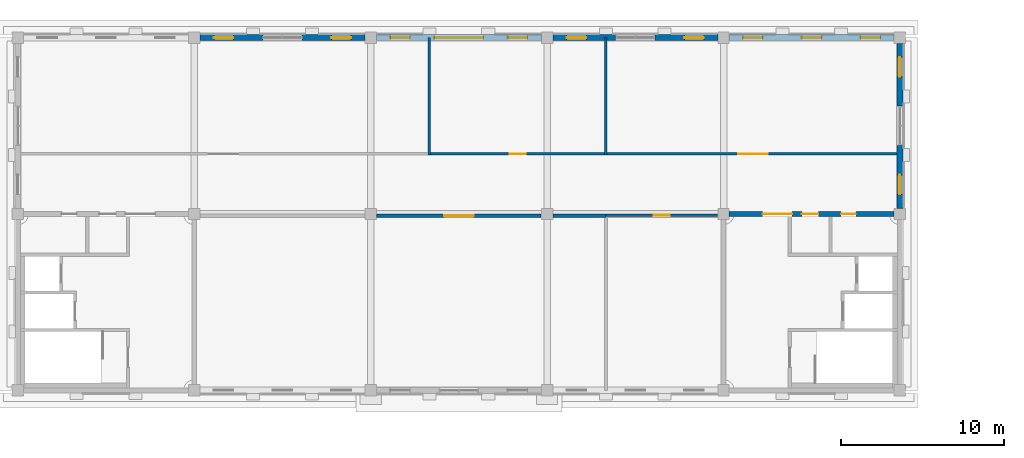
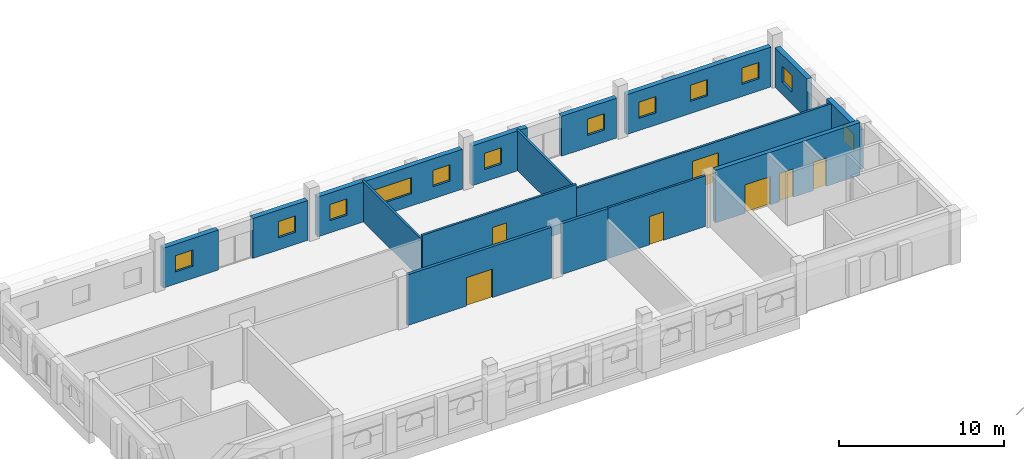
# One storey, part 8 of 10: 16 walls, 12 windows, 7 doors, 19 openings.
"""IFC4 building model written with IfcOpenShell, lengths in metres."""

from ifc_helpers import new_model, si_unit, direction, frame, frame_2d, origin, place, context, subcontext, project, spatial, rectangle, extrude, material, layer, layer_set, type_object, element, fill, save


model = new_model("IFC4")

# Units and contexts
model_context = context("Model", 3, precision=1e-05, world=origin(), true_north=direction((0.0, 1.0)))
body_context = subcontext(model_context, "Body", "Model", "MODEL_VIEW")
ifc_project = project(units=[si_unit("LENGTHUNIT", "METRE"), si_unit("AREAUNIT", "SQUARE_METRE"), si_unit("VOLUMEUNIT", "CUBIC_METRE"), si_unit("PLANEANGLEUNIT", "RADIAN"), si_unit("MASSUNIT", "GRAM", prefix="KILO")], contexts=[model_context])

# Site, building, storey
site_placement = place(None, origin())
site = spatial("IfcSite", under=ifc_project, at=site_placement, CompositionType="ELEMENT")
building_placement = place(site_placement, origin())
building = spatial("IfcBuilding", under=site, at=building_placement, Name="Magnolia Steps Interchange", CompositionType="ELEMENT")
storey_placement = place(building_placement, frame((0.0, 0.0, 24.300048828125)))
storey = spatial("IfcBuildingStorey", under=building, at=storey_placement, Name="L06", CompositionType="ELEMENT", Elevation=24.300048828125)

# Wall, openings, doors
ifc_material_1 = material(Name="Concrete C40", Category="concrete")
ifc_layer_1 = layer(ifc_material_1, 0.300048828125)
ifc_layer_set_1 = layer_set([ifc_layer_1], Name="Core wall 300")
wall_type_1 = type_object("IfcWallType", Name="Core wall 300", PredefinedType="SOLIDWALL", material=ifc_layer_set_1)
wall_1_placement = place(storey_placement, frame((117.64990234375, 107.199951171875, 0.0), z_axis=(0.0, 0.0, 1.0), x_axis=(-1.0, 0.0, 0.0)))
wall_1 = element("IfcWall", 1, at=wall_1_placement, inside=storey, type_object=wall_type_1, Name="Core wall OC-E", PredefinedType="SOLIDWALL", context=body_context, shape_type="SweptSolid", body=[
    extrude(rectangle(XDim=10.099853515625, YDim=0.300048828125, at=frame_2d((5.0498046875, 0.0))), origin(), (0.0, 0.0, 1.0), 3.89990234375),
])
opening_1_placement = place(wall_1_placement, frame((6.25, 0.0, 0.0)))
opening_1 = element("IfcOpeningElement", 2, at=opening_1_placement, cuts=wall_1, Name="Opening D-OC-E-L06-2", PredefinedType="OPENING", context=body_context, shape_type="SweptSolid", body=[
    extrude(rectangle(XDim=1.800048828125, YDim=2.10009765625, at=frame_2d((0.89990234375, 1.050048828125))), frame((0.0, 0.159912109375, 0.0), z_axis=(0.0, -1.0, 0.0), x_axis=(1.0, 0.0, 0.0)), (0.0, 0.0, 1.0), 0.320068359375),
])
opening_2_placement = place(wall_1_placement, frame((4.64990234375, 0.0, 0.0)))
opening_2 = element("IfcOpeningElement", 3, at=opening_2_placement, cuts=wall_1, Name="Opening D-OC-E-L06-3", PredefinedType="OPENING", context=body_context, shape_type="SweptSolid", body=[
    extrude(rectangle(XDim=1.0, YDim=2.10009765625, at=frame_2d((0.5, 1.050048828125))), frame((0.0, 0.159912109375, 0.0), z_axis=(0.0, -1.0, 0.0), x_axis=(1.0, 0.0, 0.0)), (0.0, 0.0, 1.0), 0.320068359375),
])
opening_3_placement = place(wall_1_placement, frame((2.35009765625, 0.0, 0.0)))
opening_3 = element("IfcOpeningElement", 4, at=opening_3_placement, cuts=wall_1, Name="Opening D-OC-E-L06-4", PredefinedType="OPENING", context=body_context, shape_type="SweptSolid", body=[
    extrude(rectangle(XDim=0.89990234375, YDim=2.10009765625, at=frame_2d((0.449951171875, 1.050048828125))), frame((0.0, 0.159912109375, 0.0), z_axis=(0.0, -1.0, 0.0), x_axis=(1.0, 0.0, 0.0)), (0.0, 0.0, 1.0), 0.320068359375),
])
ifc_material_2 = material(Name="Timber", Category="wood")
door_type_1 = type_object("IfcDoorType", Name="Accessible toilet door 1000x2100", OperationType="NOTDEFINED", PredefinedType="DOOR", material=ifc_material_2)
door_1_placement = place(opening_2_placement, origin())
door_1 = element("IfcDoor", 5, at=door_1_placement, inside=storey, type_object=door_type_1, Name="Accessible Toilet door OC-E L06", OperationType="SINGLE_SWING_RIGHT", OverallHeight=2.10009765625, OverallWidth=1.0, PredefinedType="DOOR", context=body_context, shape_type="SweptSolid", body=[
    extrude(rectangle(XDim=1.0, YDim=2.10009765625, at=frame_2d((0.5, 1.050048828125))), frame((0.0, 0.02490234375, 0.0), z_axis=(0.0, -1.0, 0.0), x_axis=(1.0, 0.0, 0.0)), (0.0, 0.0, 1.0), 0.050048828125),
])
fill(opening_2, door_1)
ifc_material_3 = material(Name="Timber and glass", Category="wood")
door_type_2 = type_object("IfcDoorType", Name="Core entrance door pair 1800x2100", OperationType="DOUBLE_DOOR_DOUBLE_SWING", PredefinedType="DOOR", material=ifc_material_3)
door_2_placement = place(opening_1_placement, frame((1.800048828125, 0.0, 0.0), z_axis=(0.0, 0.0, 1.0), x_axis=(-1.0, 0.0, 0.0)))
door_2 = element("IfcDoor", 6, at=door_2_placement, inside=storey, type_object=door_type_2, Name="Core entrance door OC-E L06", OperationType="DOUBLE_DOOR_DOUBLE_SWING", OverallHeight=2.10009765625, OverallWidth=1.800048828125, PredefinedType="DOOR", context=body_context, shape_type="SweptSolid", body=[
    extrude(rectangle(XDim=1.800048828125, YDim=2.10009765625, at=frame_2d((0.89990234375, 1.050048828125))), frame((0.0, 0.02490234375, 0.0), z_axis=(0.0, -1.0, 0.0), x_axis=(1.0, 0.0, 0.0)), (0.0, 0.0, 1.0), 0.050048828125),
])
fill(opening_1, door_2)
ifc_material_4 = material(Name="Timber", Category="wood")
door_type_3 = type_object("IfcDoorType", Name="Toilet door 900x2100", OperationType="NOTDEFINED", PredefinedType="DOOR", material=ifc_material_4)
door_3_placement = place(opening_3_placement, origin())
door_3 = element("IfcDoor", 7, at=door_3_placement, inside=storey, type_object=door_type_3, Name="Public Toilets door OC-E L06", OperationType="SINGLE_SWING_LEFT", OverallHeight=2.10009765625, OverallWidth=0.89990234375, PredefinedType="DOOR", context=body_context, shape_type="SweptSolid", body=[
    extrude(rectangle(XDim=0.89990234375, YDim=2.10009765625, at=frame_2d((0.449951171875, 1.050048828125))), frame((0.0, 0.02490234375, 0.0), z_axis=(0.0, -1.0, 0.0), x_axis=(1.0, 0.0, 0.0)), (0.0, 0.0, 1.0), 0.050048828125),
])
fill(opening_3, door_3)

# Wall
ifc_material_5 = material(Name="Fair-faced blockwork", Category="masonry")
ifc_layer_2 = layer(ifc_material_5, 0.199951171875)
ifc_layer_set_2 = layer_set([ifc_layer_2], Name="Fire partition wall 200")
wall_type_2 = type_object("IfcWallType", Name="Fire partition wall 200", PredefinedType="PARTITIONING", material=ifc_layer_set_2)
wall_2_placement = place(storey_placement, frame((96.77001953125, 107.10009765625, 0.0), z_axis=(0.0, 0.0, 1.0), x_axis=(1.0, 0.0, 0.0)))
element("IfcWall", 8, at=wall_2_placement, inside=storey, type_object=wall_type_2, Name="L06 partition 1", PredefinedType="PARTITIONING", context=body_context, shape_type="SweptSolid", body=[
    extrude(rectangle(XDim=3.22998046875, YDim=0.199951171875, at=frame_2d((1.614990234375, 0.0))), origin(), (0.0, 0.0, 1.0), 3.75),
])

# Wall, opening, door
wall_3_placement = place(storey_placement, frame((85.969970703125, 107.10009765625, 0.0), z_axis=(0.0, 0.0, 1.0), x_axis=(1.0, 0.0, 0.0)))
wall_3 = element("IfcWall", 9, at=wall_3_placement, inside=storey, type_object=wall_type_2, Name="L06 partition 2", PredefinedType="PARTITIONING", context=body_context, shape_type="SweptSolid", body=[
    extrude(rectangle(XDim=10.06005859375, YDim=0.199951171875, at=frame_2d((5.030029296875, 0.0))), origin(), (0.0, 0.0, 1.0), 3.75),
])
opening_4_placement = place(wall_3_placement, frame((4.1298828125, 0.0, 0.0)))
opening_4 = element("IfcOpeningElement", 10, at=opening_4_placement, cuts=wall_3, Name="Opening D-L06-1", PredefinedType="OPENING", context=body_context, shape_type="SweptSolid", body=[
    extrude(rectangle(XDim=1.800048828125, YDim=2.10009765625, at=frame_2d((0.89990234375, 1.050048828125))), frame((0.0, 0.10986328125, 0.0), z_axis=(0.0, -1.0, 0.0), x_axis=(1.0, 0.0, 0.0)), (0.0, 0.0, 1.0), 0.219970703125),
])
ifc_material_6 = material(Name="Painted steel", Category="steel")
door_type_4 = type_object("IfcDoorType", Name="Plant room door pair 1800x2100", OperationType="DOUBLE_DOOR_DOUBLE_SWING", PredefinedType="DOOR", material=ifc_material_6)
door_4_placement = place(opening_4_placement, frame((1.800048828125, 0.0, 0.0), z_axis=(0.0, 0.0, 1.0), x_axis=(-1.0, 0.0, 0.0)))
door_4 = element("IfcDoor", 11, at=door_4_placement, inside=storey, type_object=door_type_4, Name="Emergency Command Room door", OperationType="DOUBLE_DOOR_DOUBLE_SWING", OverallHeight=2.10009765625, OverallWidth=1.800048828125, PredefinedType="DOOR", context=body_context, shape_type="SweptSolid", body=[
    extrude(rectangle(XDim=1.800048828125, YDim=2.10009765625, at=frame_2d((0.89990234375, 1.050048828125))), frame((0.0, 0.02490234375, 0.0), z_axis=(0.0, -1.0, 0.0), x_axis=(1.0, 0.0, 0.0)), (0.0, 0.0, 1.0), 0.050048828125),
])
fill(opening_4, door_4)

# Wall, opening, window
ifc_material_7 = material(Name="Lime render on masonry", Category="masonry")
ifc_layer_3 = layer(ifc_material_7, 0.35009765625)
ifc_layer_set_3 = layer_set([ifc_layer_3], Name="Lime render wall 350")
wall_type_3 = type_object("IfcWallType", Name="Lime render wall 350", PredefinedType="SOLIDWALL", material=ifc_layer_set_3)
wall_4_placement = place(storey_placement, frame((75.14990234375, 118.0, 0.0), z_axis=(0.0, 0.0, 1.0), x_axis=(1.0, 0.0, 0.0)))
wall_4 = element("IfcWall", 12, at=wall_4_placement, inside=storey, type_object=wall_type_3, Name="Operations building north wall L06 pier 1", PredefinedType="SOLIDWALL", context=body_context, shape_type="SweptSolid", body=[
    extrude(rectangle(XDim=3.85009765625, YDim=0.35009765625, at=frame_2d((1.925048828125, 0.0))), origin(), (0.0, 0.0, 1.0), 2.949951171875),
])
opening_5_placement = place(wall_4_placement, frame((0.85009765625, 0.0, 0.89990234375)))
opening_5 = element("IfcOpeningElement", 13, at=opening_5_placement, cuts=wall_4, Name="Opening WN2", PredefinedType="OPENING", context=body_context, shape_type="SweptSolid", body=[
    extrude(rectangle(XDim=1.199951171875, YDim=1.199951171875, at=frame_2d((0.60009765625, 0.60009765625))), frame((0.0, 0.18505859375, 0.0), z_axis=(0.0, -1.0, 0.0), x_axis=(1.0, 0.0, 0.0)), (0.0, 0.0, 1.0), 0.3701171875),
])
ifc_material_8 = material(Name="Timber frame with double glazing", Category="wood")
window_type_1 = type_object("IfcWindowType", Name="Attic window 1200 x 1200", PartitioningType="SINGLE_PANEL", PredefinedType="WINDOW", material=ifc_material_8)
window_1_placement = place(opening_5_placement, origin())
window_1 = element("IfcWindow", 14, at=window_1_placement, inside=storey, type_object=window_type_1, Name="Window L06 north 4", OverallHeight=1.199951171875, OverallWidth=1.199951171875, PartitioningType="SINGLE_PANEL", PredefinedType="WINDOW", context=body_context, shape_type="SweptSolid", body=[
    extrude(rectangle(XDim=1.199951171875, YDim=1.199951171875, at=frame_2d((0.60009765625, 0.60009765625))), frame((0.0, 0.030029296875, 0.0), z_axis=(0.0, -1.0, 0.0), x_axis=(1.0, 0.0, 0.0)), (0.0, 0.0, 1.0), 0.06005859375),
])
fill(opening_5, window_1)

wall_5_placement = place(storey_placement, frame((81.39990234375, 118.0, 0.0), z_axis=(0.0, 0.0, 1.0), x_axis=(1.0, 0.0, 0.0)))
wall_5 = element("IfcWall", 15, at=wall_5_placement, inside=storey, type_object=wall_type_3, Name="Operations building north wall L06 pier 3", PredefinedType="SOLIDWALL", context=body_context, shape_type="SweptSolid", body=[
    extrude(rectangle(XDim=3.85009765625, YDim=0.35009765625, at=frame_2d((1.925048828125, 0.0))), origin(), (0.0, 0.0, 1.0), 2.949951171875),
])
opening_6_placement = place(wall_5_placement, frame((1.800048828125, 0.0, 0.89990234375)))
opening_6 = element("IfcOpeningElement", 16, at=opening_6_placement, cuts=wall_5, Name="Opening WN2", PredefinedType="OPENING", context=body_context, shape_type="SweptSolid", body=[
    extrude(rectangle(XDim=1.199951171875, YDim=1.199951171875, at=frame_2d((0.60009765625, 0.60009765625))), frame((0.0, 0.18505859375, 0.0), z_axis=(0.0, -1.0, 0.0), x_axis=(1.0, 0.0, 0.0)), (0.0, 0.0, 1.0), 0.3701171875),
])
window_2_placement = place(opening_6_placement, origin())
window_2 = element("IfcWindow", 17, at=window_2_placement, inside=storey, type_object=window_type_1, Name="Window L06 north 6", OverallHeight=1.199951171875, OverallWidth=1.199951171875, PartitioningType="SINGLE_PANEL", PredefinedType="WINDOW", context=body_context, shape_type="SweptSolid", body=[
    extrude(rectangle(XDim=1.199951171875, YDim=1.199951171875, at=frame_2d((0.60009765625, 0.60009765625))), frame((0.0, 0.030029296875, 0.0), z_axis=(0.0, -1.0, 0.0), x_axis=(1.0, 0.0, 0.0)), (0.0, 0.0, 1.0), 0.06005859375),
])
fill(opening_6, window_2)

# Wall, openings, windows
wall_6_placement = place(storey_placement, frame((85.949951171875, 118.0, 0.0), z_axis=(0.0, 0.0, 1.0), x_axis=(1.0, 0.0, 0.0)))
wall_6 = element("IfcWall", 18, at=wall_6_placement, inside=storey, type_object=wall_type_3, Name="Operations building north wall L06 pier 3", PredefinedType="SOLIDWALL", context=body_context, shape_type="SweptSolid", body=[
    extrude(rectangle(XDim=10.10009765625, YDim=0.35009765625, at=frame_2d((5.050048828125, 0.0))), origin(), (0.0, 0.0, 1.0), 2.949951171875),
])
opening_7_placement = place(wall_6_placement, frame((0.85009765625, 0.0, 0.89990234375)))
opening_7 = element("IfcOpeningElement", 19, at=opening_7_placement, cuts=wall_6, Name="Opening WN2", PredefinedType="OPENING", context=body_context, shape_type="SweptSolid", body=[
    extrude(rectangle(XDim=1.199951171875, YDim=1.199951171875, at=frame_2d((0.60009765625, 0.60009765625))), frame((0.0, 0.18505859375, 0.0), z_axis=(0.0, -1.0, 0.0), x_axis=(1.0, 0.0, 0.0)), (0.0, 0.0, 1.0), 0.3701171875),
])
opening_8_placement = place(wall_6_placement, frame((3.550048828125, 0.0, 0.89990234375)))
opening_8 = element("IfcOpeningElement", 20, at=opening_8_placement, cuts=wall_6, Name="Opening WN12", PredefinedType="OPENING", context=body_context, shape_type="SweptSolid", body=[
    extrude(rectangle(XDim=3.0, YDim=1.199951171875, at=frame_2d((1.5, 0.60009765625))), frame((0.0, 0.18505859375, 0.0), z_axis=(0.0, -1.0, 0.0), x_axis=(1.0, 0.0, 0.0)), (0.0, 0.0, 1.0), 0.3701171875),
])
opening_9_placement = place(wall_6_placement, frame((8.050048828125, 0.0, 0.89990234375)))
opening_9 = element("IfcOpeningElement", 21, at=opening_9_placement, cuts=wall_6, Name="Opening WN2", PredefinedType="OPENING", context=body_context, shape_type="SweptSolid", body=[
    extrude(rectangle(XDim=1.199951171875, YDim=1.199951171875, at=frame_2d((0.60009765625, 0.60009765625))), frame((0.0, 0.18505859375, 0.0), z_axis=(0.0, -1.0, 0.0), x_axis=(1.0, 0.0, 0.0)), (0.0, 0.0, 1.0), 0.3701171875),
])
window_3_placement = place(opening_7_placement, origin())
window_3 = element("IfcWindow", 22, at=window_3_placement, inside=storey, type_object=window_type_1, Name="Window L06 north 7", OverallHeight=1.199951171875, OverallWidth=1.199951171875, PartitioningType="SINGLE_PANEL", PredefinedType="WINDOW", context=body_context, shape_type="SweptSolid", body=[
    extrude(rectangle(XDim=1.199951171875, YDim=1.199951171875, at=frame_2d((0.60009765625, 0.60009765625))), frame((0.0, 0.030029296875, 0.0), z_axis=(0.0, -1.0, 0.0), x_axis=(1.0, 0.0, 0.0)), (0.0, 0.0, 1.0), 0.06005859375),
])
fill(opening_7, window_3)
window_4_placement = place(opening_9_placement, origin())
window_4 = element("IfcWindow", 23, at=window_4_placement, inside=storey, type_object=window_type_1, Name="Window L06 north 9", OverallHeight=1.199951171875, OverallWidth=1.199951171875, PartitioningType="SINGLE_PANEL", PredefinedType="WINDOW", context=body_context, shape_type="SweptSolid", body=[
    extrude(rectangle(XDim=1.199951171875, YDim=1.199951171875, at=frame_2d((0.60009765625, 0.60009765625))), frame((0.0, 0.030029296875, 0.0), z_axis=(0.0, -1.0, 0.0), x_axis=(1.0, 0.0, 0.0)), (0.0, 0.0, 1.0), 0.06005859375),
])
fill(opening_9, window_4)
ifc_material_9 = material(Name="Timber frame with double glazing", Category="wood")
window_type_2 = type_object("IfcWindowType", Name="Strip window 3000 x 1200", PartitioningType="TRIPLE_PANEL_VERTICAL", PredefinedType="WINDOW", material=ifc_material_9)
window_5_placement = place(opening_8_placement, origin())
window_5 = element("IfcWindow", 24, at=window_5_placement, inside=storey, type_object=window_type_2, Name="Strip window L06 north 8", OverallHeight=1.199951171875, OverallWidth=3.0, PartitioningType="SINGLE_PANEL", PredefinedType="WINDOW", context=body_context, shape_type="SweptSolid", body=[
    extrude(rectangle(XDim=3.0, YDim=1.199951171875, at=frame_2d((1.5, 0.60009765625))), frame((0.0, 0.030029296875, 0.0), z_axis=(0.0, -1.0, 0.0), x_axis=(1.0, 0.0, 0.0)), (0.0, 0.0, 1.0), 0.06005859375),
])
fill(opening_8, window_5)

# Wall, opening, window
wall_7_placement = place(storey_placement, frame((96.75, 118.0, 0.0), z_axis=(0.0, 0.0, 1.0), x_axis=(1.0, 0.0, 0.0)))
wall_7 = element("IfcWall", 25, at=wall_7_placement, inside=storey, type_object=wall_type_3, Name="Operations building north wall L06 pier 3", PredefinedType="SOLIDWALL", context=body_context, shape_type="SweptSolid", body=[
    extrude(rectangle(XDim=3.85009765625, YDim=0.35009765625, at=frame_2d((1.925048828125, 0.0))), origin(), (0.0, 0.0, 1.0), 2.949951171875),
])
opening_10_placement = place(wall_7_placement, frame((0.85009765625, 0.0, 0.89990234375)))
opening_10 = element("IfcOpeningElement", 26, at=opening_10_placement, cuts=wall_7, Name="Opening WN2", PredefinedType="OPENING", context=body_context, shape_type="SweptSolid", body=[
    extrude(rectangle(XDim=1.199951171875, YDim=1.199951171875, at=frame_2d((0.60009765625, 0.60009765625))), frame((0.0, 0.18505859375, 0.0), z_axis=(0.0, -1.0, 0.0), x_axis=(1.0, 0.0, 0.0)), (0.0, 0.0, 1.0), 0.3701171875),
])
window_6_placement = place(opening_10_placement, origin())
window_6 = element("IfcWindow", 27, at=window_6_placement, inside=storey, type_object=window_type_1, Name="Window L06 north 10", OverallHeight=1.199951171875, OverallWidth=1.199951171875, PartitioningType="SINGLE_PANEL", PredefinedType="WINDOW", context=body_context, shape_type="SweptSolid", body=[
    extrude(rectangle(XDim=1.199951171875, YDim=1.199951171875, at=frame_2d((0.60009765625, 0.60009765625))), frame((0.0, 0.030029296875, 0.0), z_axis=(0.0, -1.0, 0.0), x_axis=(1.0, 0.0, 0.0)), (0.0, 0.0, 1.0), 0.06005859375),
])
fill(opening_10, window_6)

wall_8_placement = place(storey_placement, frame((103.0, 118.0, 0.0), z_axis=(0.0, 0.0, 1.0), x_axis=(1.0, 0.0, 0.0)))
wall_8 = element("IfcWall", 28, at=wall_8_placement, inside=storey, type_object=wall_type_3, Name="Operations building north wall L06 pier 5", PredefinedType="SOLIDWALL", context=body_context, shape_type="SweptSolid", body=[
    extrude(rectangle(XDim=3.85009765625, YDim=0.35009765625, at=frame_2d((1.925048828125, 0.0))), origin(), (0.0, 0.0, 1.0), 2.949951171875),
])
opening_11_placement = place(wall_8_placement, frame((1.800048828125, 0.0, 0.89990234375)))
opening_11 = element("IfcOpeningElement", 29, at=opening_11_placement, cuts=wall_8, Name="Opening WN2", PredefinedType="OPENING", context=body_context, shape_type="SweptSolid", body=[
    extrude(rectangle(XDim=1.199951171875, YDim=1.199951171875, at=frame_2d((0.60009765625, 0.60009765625))), frame((0.0, 0.18505859375, 0.0), z_axis=(0.0, -1.0, 0.0), x_axis=(1.0, 0.0, 0.0)), (0.0, 0.0, 1.0), 0.3701171875),
])
window_7_placement = place(opening_11_placement, origin())
window_7 = element("IfcWindow", 30, at=window_7_placement, inside=storey, type_object=window_type_1, Name="Window L06 north 12", OverallHeight=1.199951171875, OverallWidth=1.199951171875, PartitioningType="SINGLE_PANEL", PredefinedType="WINDOW", context=body_context, shape_type="SweptSolid", body=[
    extrude(rectangle(XDim=1.199951171875, YDim=1.199951171875, at=frame_2d((0.60009765625, 0.60009765625))), frame((0.0, 0.030029296875, 0.0), z_axis=(0.0, -1.0, 0.0), x_axis=(1.0, 0.0, 0.0)), (0.0, 0.0, 1.0), 0.06005859375),
])
fill(opening_11, window_7)

# Wall, openings, windows
wall_9_placement = place(storey_placement, frame((107.550048828125, 118.0, 0.0), z_axis=(0.0, 0.0, 1.0), x_axis=(1.0, 0.0, 0.0)))
wall_9 = element("IfcWall", 31, at=wall_9_placement, inside=storey, type_object=wall_type_3, Name="Operations building north wall L06 pier 5", PredefinedType="SOLIDWALL", context=body_context, shape_type="SweptSolid", body=[
    extrude(rectangle(XDim=10.099853515625, YDim=0.35009765625, at=frame_2d((5.0498046875, 0.0))), origin(), (0.0, 0.0, 1.0), 2.949951171875),
])
opening_12_placement = place(wall_9_placement, frame((0.85009765625, 0.0, 0.89990234375)))
opening_12 = element("IfcOpeningElement", 32, at=opening_12_placement, cuts=wall_9, Name="Opening WN2", PredefinedType="OPENING", context=body_context, shape_type="SweptSolid", body=[
    extrude(rectangle(XDim=1.199951171875, YDim=1.199951171875, at=frame_2d((0.60009765625, 0.60009765625))), frame((0.0, 0.18505859375, 0.0), z_axis=(0.0, -1.0, 0.0), x_axis=(1.0, 0.0, 0.0)), (0.0, 0.0, 1.0), 0.3701171875),
])
opening_13_placement = place(wall_9_placement, frame((4.449951171875, 0.0, 0.89990234375)))
opening_13 = element("IfcOpeningElement", 33, at=opening_13_placement, cuts=wall_9, Name="Opening WN2", PredefinedType="OPENING", context=body_context, shape_type="SweptSolid", body=[
    extrude(rectangle(XDim=1.199951171875, YDim=1.199951171875, at=frame_2d((0.60009765625, 0.60009765625))), frame((0.0, 0.18505859375, 0.0), z_axis=(0.0, -1.0, 0.0), x_axis=(1.0, 0.0, 0.0)), (0.0, 0.0, 1.0), 0.3701171875),
])
opening_14_placement = place(wall_9_placement, frame((8.050048828125, 0.0, 0.89990234375)))
opening_14 = element("IfcOpeningElement", 34, at=opening_14_placement, cuts=wall_9, Name="Opening WN2", PredefinedType="OPENING", context=body_context, shape_type="SweptSolid", body=[
    extrude(rectangle(XDim=1.199951171875, YDim=1.199951171875, at=frame_2d((0.60009765625, 0.60009765625))), frame((0.0, 0.18505859375, 0.0), z_axis=(0.0, -1.0, 0.0), x_axis=(1.0, 0.0, 0.0)), (0.0, 0.0, 1.0), 0.3701171875),
])
window_8_placement = place(opening_12_placement, origin())
window_8 = element("IfcWindow", 35, at=window_8_placement, inside=storey, type_object=window_type_1, Name="Window L06 north 13", OverallHeight=1.199951171875, OverallWidth=1.199951171875, PartitioningType="SINGLE_PANEL", PredefinedType="WINDOW", context=body_context, shape_type="SweptSolid", body=[
    extrude(rectangle(XDim=1.199951171875, YDim=1.199951171875, at=frame_2d((0.60009765625, 0.60009765625))), frame((0.0, 0.030029296875, 0.0), z_axis=(0.0, -1.0, 0.0), x_axis=(1.0, 0.0, 0.0)), (0.0, 0.0, 1.0), 0.06005859375),
])
fill(opening_12, window_8)
window_9_placement = place(opening_13_placement, origin())
window_9 = element("IfcWindow", 36, at=window_9_placement, inside=storey, type_object=window_type_1, Name="Window L06 north 14", OverallHeight=1.199951171875, OverallWidth=1.199951171875, PartitioningType="SINGLE_PANEL", PredefinedType="WINDOW", context=body_context, shape_type="SweptSolid", body=[
    extrude(rectangle(XDim=1.199951171875, YDim=1.199951171875, at=frame_2d((0.60009765625, 0.60009765625))), frame((0.0, 0.030029296875, 0.0), z_axis=(0.0, -1.0, 0.0), x_axis=(1.0, 0.0, 0.0)), (0.0, 0.0, 1.0), 0.06005859375),
])
fill(opening_13, window_9)
window_10_placement = place(opening_14_placement, origin())
window_10 = element("IfcWindow", 37, at=window_10_placement, inside=storey, type_object=window_type_1, Name="Window L06 north 15", OverallHeight=1.199951171875, OverallWidth=1.199951171875, PartitioningType="SINGLE_PANEL", PredefinedType="WINDOW", context=body_context, shape_type="SweptSolid", body=[
    extrude(rectangle(XDim=1.199951171875, YDim=1.199951171875, at=frame_2d((0.60009765625, 0.60009765625))), frame((0.0, 0.030029296875, 0.0), z_axis=(0.0, -1.0, 0.0), x_axis=(1.0, 0.0, 0.0)), (0.0, 0.0, 1.0), 0.06005859375),
])
fill(opening_14, window_10)

# Wall, opening, window
wall_10_placement = place(storey_placement, frame((118.0, 107.550048828125, 0.0), z_axis=(0.0, 0.0, 1.0), x_axis=(0.0, 1.0, 0.0)))
wall_10 = element("IfcWall", 38, at=wall_10_placement, inside=storey, type_object=wall_type_3, Name="Operations building east wall L06 pier 1", PredefinedType="SOLIDWALL", context=body_context, shape_type="SweptSolid", body=[
    extrude(rectangle(XDim=3.849853515625, YDim=0.35009765625, at=frame_2d((1.9248046875, 0.0))), origin(), (0.0, 0.0, 1.0), 2.949951171875),
])
opening_15_placement = place(wall_10_placement, frame((0.85009765625, 0.0, 0.89990234375)))
opening_15 = element("IfcOpeningElement", 39, at=opening_15_placement, cuts=wall_10, Name="Opening WN2", PredefinedType="OPENING", context=body_context, shape_type="SweptSolid", body=[
    extrude(rectangle(XDim=1.199951171875, YDim=1.199951171875, at=frame_2d((0.60009765625, 0.60009765625))), frame((0.0, 0.18505859375, 0.0), z_axis=(0.0, -1.0, 0.0), x_axis=(1.0, 0.0, 0.0)), (0.0, 0.0, 1.0), 0.3701171875),
])
window_11_placement = place(opening_15_placement, origin())
window_11 = element("IfcWindow", 40, at=window_11_placement, inside=storey, type_object=window_type_1, Name="Window L06 east 1", OverallHeight=1.199951171875, OverallWidth=1.199951171875, PartitioningType="SINGLE_PANEL", PredefinedType="WINDOW", context=body_context, shape_type="SweptSolid", body=[
    extrude(rectangle(XDim=1.199951171875, YDim=1.199951171875, at=frame_2d((0.60009765625, 0.60009765625))), frame((0.0, 0.030029296875, 0.0), z_axis=(0.0, -1.0, 0.0), x_axis=(1.0, 0.0, 0.0)), (0.0, 0.0, 1.0), 0.06005859375),
])
fill(opening_15, window_11)

wall_11_placement = place(storey_placement, frame((118.0, 113.800048828125, 0.0), z_axis=(0.0, 0.0, 1.0), x_axis=(0.0, 1.0, 0.0)))
wall_11 = element("IfcWall", 41, at=wall_11_placement, inside=storey, type_object=wall_type_3, Name="Operations building east wall L06 pier 3", PredefinedType="SOLIDWALL", context=body_context, shape_type="SweptSolid", body=[
    extrude(rectangle(XDim=3.849853515625, YDim=0.35009765625, at=frame_2d((1.9248046875, 0.0))), origin(), (0.0, 0.0, 1.0), 2.949951171875),
])
opening_16_placement = place(wall_11_placement, frame((1.800048828125, 0.0, 0.89990234375)))
opening_16 = element("IfcOpeningElement", 42, at=opening_16_placement, cuts=wall_11, Name="Opening WN2", PredefinedType="OPENING", context=body_context, shape_type="SweptSolid", body=[
    extrude(rectangle(XDim=1.199951171875, YDim=1.199951171875, at=frame_2d((0.60009765625, 0.60009765625))), frame((0.0, 0.18505859375, 0.0), z_axis=(0.0, -1.0, 0.0), x_axis=(1.0, 0.0, 0.0)), (0.0, 0.0, 1.0), 0.3701171875),
])
window_12_placement = place(opening_16_placement, origin())
window_12 = element("IfcWindow", 43, at=window_12_placement, inside=storey, type_object=window_type_1, Name="Window L06 east 3", OverallHeight=1.199951171875, OverallWidth=1.199951171875, PartitioningType="SINGLE_PANEL", PredefinedType="WINDOW", context=body_context, shape_type="SweptSolid", body=[
    extrude(rectangle(XDim=1.199951171875, YDim=1.199951171875, at=frame_2d((0.60009765625, 0.60009765625))), frame((0.0, 0.030029296875, 0.0), z_axis=(0.0, -1.0, 0.0), x_axis=(1.0, 0.0, 0.0)), (0.0, 0.0, 1.0), 0.06005859375),
])
fill(opening_16, window_12)

# Wall, opening, door
ifc_material_10 = material(Name="Fair-faced blockwork", Category="masonry")
ifc_layer_4 = layer(ifc_material_10, 0.14990234375)
ifc_layer_set_4 = layer_set([ifc_layer_4], Name="Partition wall 150")
wall_type_4 = type_object("IfcWallType", Name="Partition wall 150", PredefinedType="PARTITIONING", material=ifc_layer_set_4)
wall_12_placement = place(storey_placement, frame((100.0, 107.125, 0.0), z_axis=(0.0, 0.0, 1.0), x_axis=(1.0, 0.0, 0.0)))
wall_12 = element("IfcWall", 44, at=wall_12_placement, inside=storey, type_object=wall_type_4, Name="L06 partition 4", PredefinedType="PARTITIONING", context=body_context, shape_type="SweptSolid", body=[
    extrude(rectangle(XDim=6.830078125, YDim=0.14990234375, at=frame_2d((3.4150390625, 0.0))), origin(), (0.0, 0.0, 1.0), 3.75),
])
opening_17_placement = place(wall_12_placement, frame((2.9150390625, 0.0, 0.0)))
opening_17 = element("IfcOpeningElement", 45, at=opening_17_placement, cuts=wall_12, Name="Opening D-L06-2", PredefinedType="OPENING", context=body_context, shape_type="SweptSolid", body=[
    extrude(rectangle(XDim=1.0, YDim=2.10009765625, at=frame_2d((0.5, 1.050048828125))), frame((0.0, 0.0849609375, 0.0), z_axis=(0.0, -1.0, 0.0), x_axis=(1.0, 0.0, 0.0)), (0.0, 0.0, 1.0), 0.169921875),
])
ifc_material_11 = material(Name="Timber", Category="wood")
door_type_5 = type_object("IfcDoorType", Name="Room door 1000x2100", OperationType="NOTDEFINED", PredefinedType="DOOR", material=ifc_material_11)
door_5_placement = place(opening_17_placement, frame((1.0, 0.0, 0.0), z_axis=(0.0, 0.0, 1.0), x_axis=(-1.0, 0.0, 0.0)))
door_5 = element("IfcDoor", 46, at=door_5_placement, inside=storey, type_object=door_type_5, Name="Command Room Support Office door", OperationType="SINGLE_SWING_RIGHT", OverallHeight=2.10009765625, OverallWidth=1.0, PredefinedType="DOOR", context=body_context, shape_type="SweptSolid", body=[
    extrude(rectangle(XDim=1.0, YDim=2.10009765625, at=frame_2d((0.5, 1.050048828125))), frame((0.0, 0.02490234375, 0.0), z_axis=(0.0, -1.0, 0.0), x_axis=(1.0, 0.0, 0.0)), (0.0, 0.0, 1.0), 0.050048828125),
])
fill(opening_17, door_5)

wall_13_placement = place(storey_placement, frame((89.199951171875, 110.875, 0.0), z_axis=(0.0, 0.0, 1.0), x_axis=(1.0, 0.0, 0.0)))
wall_13 = element("IfcWall", 47, at=wall_13_placement, inside=storey, type_object=wall_type_4, Name="L06 partition 6", PredefinedType="PARTITIONING", context=body_context, shape_type="SweptSolid", body=[
    extrude(rectangle(XDim=10.800048828125, YDim=0.14990234375, at=frame_2d((5.39990234375, 0.0))), origin(), (0.0, 0.0, 1.0), 3.235107421875),
])
opening_18_placement = place(wall_13_placement, frame((4.89990234375, 0.0, 0.0)))
opening_18 = element("IfcOpeningElement", 48, at=opening_18_placement, cuts=wall_13, Name="Opening D-L06-4", PredefinedType="OPENING", context=body_context, shape_type="SweptSolid", body=[
    extrude(rectangle(XDim=1.0, YDim=2.10009765625, at=frame_2d((0.5, 1.050048828125))), frame((0.0, 0.0849609375, 0.0), z_axis=(0.0, -1.0, 0.0), x_axis=(1.0, 0.0, 0.0)), (0.0, 0.0, 1.0), 0.169921875),
])
door_6_placement = place(opening_18_placement, origin())
door_6 = element("IfcDoor", 49, at=door_6_placement, inside=storey, type_object=door_type_5, Name="Staff Locker Room door", OperationType="SINGLE_SWING_LEFT", OverallHeight=2.10009765625, OverallWidth=1.0, PredefinedType="DOOR", context=body_context, shape_type="SweptSolid", body=[
    extrude(rectangle(XDim=1.0, YDim=2.10009765625, at=frame_2d((0.5, 1.050048828125))), frame((0.0, 0.02490234375, 0.0), z_axis=(0.0, -1.0, 0.0), x_axis=(1.0, 0.0, 0.0)), (0.0, 0.0, 1.0), 0.050048828125),
])
fill(opening_18, door_6)

wall_14_placement = place(storey_placement, frame((100.0, 110.875, 0.0), z_axis=(0.0, 0.0, 1.0), x_axis=(1.0, 0.0, 0.0)))
wall_14 = element("IfcWall", 50, at=wall_14_placement, inside=storey, type_object=wall_type_4, Name="L06 partition 7", PredefinedType="PARTITIONING", context=body_context, shape_type="SweptSolid", body=[
    extrude(rectangle(XDim=18.0, YDim=0.14990234375, at=frame_2d((9.0, 0.0))), origin(), (0.0, 0.0, 1.0), 2.949951171875),
])
opening_19_placement = place(wall_14_placement, frame((8.10009765625, 0.0, 0.0)))
opening_19 = element("IfcOpeningElement", 51, at=opening_19_placement, cuts=wall_14, Name="Opening D-L06-5", PredefinedType="OPENING", context=body_context, shape_type="SweptSolid", body=[
    extrude(rectangle(XDim=1.800048828125, YDim=2.10009765625, at=frame_2d((0.89990234375, 1.050048828125))), frame((0.0, 0.0849609375, 0.0), z_axis=(0.0, -1.0, 0.0), x_axis=(1.0, 0.0, 0.0)), (0.0, 0.0, 1.0), 0.169921875),
])
ifc_material_12 = material(Name="Timber", Category="wood")
door_type_6 = type_object("IfcDoorType", Name="Room door pair 1800x2100", OperationType="DOUBLE_DOOR_DOUBLE_SWING", PredefinedType="DOOR", material=ifc_material_12)
door_7_placement = place(opening_19_placement, origin())
door_7 = element("IfcDoor", 52, at=door_7_placement, inside=storey, type_object=door_type_6, Name="Quiet Room door", OperationType="DOUBLE_DOOR_DOUBLE_SWING", OverallHeight=2.10009765625, OverallWidth=1.800048828125, PredefinedType="DOOR", context=body_context, shape_type="SweptSolid", body=[
    extrude(rectangle(XDim=1.800048828125, YDim=2.10009765625, at=frame_2d((0.89990234375, 1.050048828125))), frame((0.0, 0.02490234375, 0.0), z_axis=(0.0, -1.0, 0.0), x_axis=(1.0, 0.0, 0.0)), (0.0, 0.0, 1.0), 0.050048828125),
])
fill(opening_19, door_7)

# Walls
for number, where, z_axis, x_axis, name in (
    (53, (89.199951171875, 110.800048828125, 0.0), (0.0, 0.0, 1.0), (0.0, 1.0, 0.0), "L06 partition 9"),
    (54, (100.0, 110.800048828125, 0.0), (0.0, 0.0, 1.0), (0.0, 1.0, 0.0), "L06 partition 10"),
):
    element("IfcWall", number, at=place(storey_placement, frame(where, z_axis=z_axis, x_axis=x_axis)), inside=storey, type_object=wall_type_4, Name=name, PredefinedType="PARTITIONING", context=body_context, shape_type="SweptSolid", body=[
        extrude(rectangle(XDim=7.199951171875, YDim=0.14990234375, at=frame_2d((3.60009765625, 0.0))), origin(), (0.0, 0.0, 1.0), 2.949951171875),
    ])

save(model, "model.ifc")
